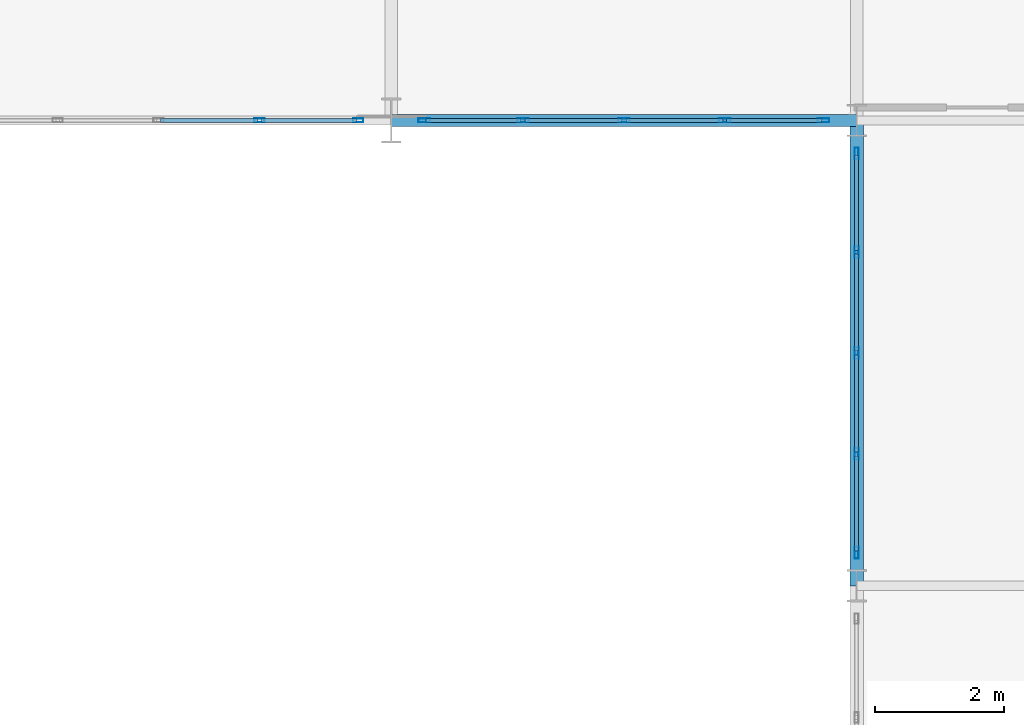
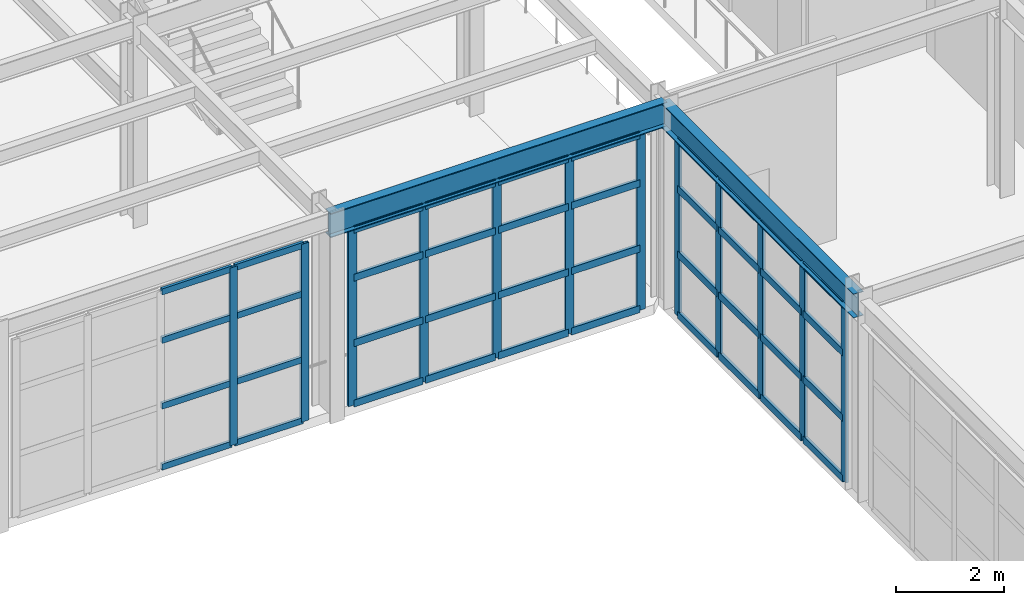
# One storey, part 38 of 121: 52 members, 2 beams, 3 elements without a shape of their own.
"""IFC4 building model written with IfcOpenShell, lengths in metres."""

from ifc_helpers import new_model, si_unit, direction, frame, origin, origin_2d, place, context, subcontext, project, spatial, hollow_rectangle, i_section, extrude, material, layer, layer_set, material_profile, profile_set, type_object, element, aggregate, save


model = new_model("IFC4")

# Units and contexts
model_context = context("Model", 3, precision=1e-05, world=origin(), true_north=direction((0.0, 1.0)))
body_context = subcontext(model_context, "Body", "Model", "MODEL_VIEW")
ifc_project = project(units=[si_unit("LENGTHUNIT", "METRE"), si_unit("AREAUNIT", "SQUARE_METRE"), si_unit("VOLUMEUNIT", "CUBIC_METRE"), si_unit("PLANEANGLEUNIT", "RADIAN"), si_unit("MASSUNIT", "GRAM", prefix="KILO")], contexts=[model_context])

# Site, building, storey
site_placement = place(None, origin())
site = spatial("IfcSite", under=ifc_project, at=site_placement, CompositionType="ELEMENT")
building_placement = place(site_placement, origin())
building = spatial("IfcBuilding", under=site, at=building_placement, Name="Solvadek Multi-Sports Hall", CompositionType="ELEMENT")
storey_placement = place(building_placement, frame((0.0, 0.0, 4.800048828125)))
storey = spatial("IfcBuildingStorey", under=building, at=storey_placement, Name="L01", CompositionType="ELEMENT", Elevation=4.800048828125)

# Curtain wall, members
ifc_material_1 = material(Name="Anodised aluminium", Category="aluminium")
ifc_layer_1 = layer(ifc_material_1, 0.159912109375, Name="Anodised aluminium")
ifc_layer_set_1 = layer_set([ifc_layer_1], Name="Anodised aluminium")
curtain_wall_type_1 = type_object("IfcCurtainWallType", Name="ENV-CW-624X402", PredefinedType="USERDEFINED", material=ifc_layer_set_1)
curtain_wall_1_placement = place(storey_placement, origin())
curtain_wall_1 = element("IfcCurtainWall", 1, at=curtain_wall_1_placement, inside=storey, type_object=curtain_wall_type_1, Name="L01 Perimeter Bay Curtain Wall #172", ObjectType="CURTAIN WALL", PredefinedType="USERDEFINED")
ifc_material_profile_1 = material_profile(ifc_material_1, hollow_rectangle(XDim=0.06005859375, YDim=0.159912109375, WallThickness=0.00390625, at=origin_2d()), Name="ALU-M 160x60x4")
ifc_profile_set_1 = profile_set([ifc_material_profile_1], Name="Anodised aluminium")
member_type_1 = type_object("IfcMemberType", Name="ENV-CWM-01", PredefinedType="MULLION", material=ifc_profile_set_1)
member_1_placement = place(storey_placement, frame((48.360107421875, 49.199951171875, 0.0), z_axis=(0.0, 0.0, 1.0), x_axis=(0.0, 1.0, 0.0)))
member_1 = element("IfcMember", 2, at=member_1_placement, type_object=member_type_1, Name="CW-55 mullion 4", PredefinedType="MULLION", context=body_context, shape_type="SweptSolid", body=[
    extrude(hollow_rectangle(XDim=0.06005859375, YDim=0.159912109375, WallThickness=0.00390625, at=origin_2d()), origin(), (0.0, 0.0, 1.0), 4.02490234375),
])
member_2_placement = place(storey_placement, frame((49.889892578125, 49.199951171875, 0.0), z_axis=(0.0, 0.0, 1.0), x_axis=(0.0, 1.0, 0.0)))
member_2 = element("IfcMember", 3, at=member_2_placement, type_object=member_type_1, Name="CW-55 mullion 5", PredefinedType="MULLION", context=body_context, shape_type="SweptSolid", body=[
    extrude(hollow_rectangle(XDim=0.06005859375, YDim=0.159912109375, WallThickness=0.00390625, at=origin_2d()), origin(), (0.0, 0.0, 1.0), 4.02490234375),
])

ifc_layer_2 = layer(ifc_material_1, 0.159912109375, Name="Anodised aluminium")
ifc_layer_set_2 = layer_set([ifc_layer_2], Name="Anodised aluminium")
curtain_wall_type_2 = type_object("IfcCurtainWallType", Name="ENV-CW-624X400", PredefinedType="USERDEFINED", material=ifc_layer_set_2)
curtain_wall_2_placement = place(storey_placement, origin())
curtain_wall_2 = element("IfcCurtainWall", 4, at=curtain_wall_2_placement, inside=storey, type_object=curtain_wall_type_2, Name="L01 Perimeter Bay Curtain Wall #178", ObjectType="CURTAIN WALL", PredefinedType="USERDEFINED")
ifc_material_profile_2 = material_profile(ifc_material_1, hollow_rectangle(XDim=0.06005859375, YDim=0.179931640625, WallThickness=0.00390625, at=origin_2d()), Name="ALU-M 180x60x4")
ifc_profile_set_2 = profile_set([ifc_material_profile_2], Name="Anodised aluminium")
member_type_2 = type_object("IfcMemberType", Name="ENV-CWM-02", PredefinedType="MULLION", material=ifc_profile_set_2)
member_3_placement = place(storey_placement, frame((50.909912109375, 49.199951171875, 0.0), z_axis=(0.0, 0.0, 1.0), x_axis=(0.0, 1.0, 0.0)))
member_3 = element("IfcMember", 5, at=member_3_placement, type_object=member_type_2, Name="CW-56 mullion 1", PredefinedType="MULLION", context=body_context, shape_type="SweptSolid", body=[
    extrude(hollow_rectangle(XDim=0.06005859375, YDim=0.179931640625, WallThickness=0.00390625, at=origin_2d()), origin(), (0.0, 0.0, 1.0), 4.0),
])
member_4_placement = place(storey_placement, frame((52.43994140625, 49.199951171875, 0.0), z_axis=(0.0, 0.0, 1.0), x_axis=(0.0, 1.0, 0.0)))
member_4 = element("IfcMember", 6, at=member_4_placement, type_object=member_type_2, Name="CW-56 mullion 2", PredefinedType="MULLION", context=body_context, shape_type="SweptSolid", body=[
    extrude(hollow_rectangle(XDim=0.06005859375, YDim=0.179931640625, WallThickness=0.00390625, at=origin_2d()), origin(), (0.0, 0.0, 1.0), 4.0),
])
member_5_placement = place(storey_placement, frame((54.0, 49.199951171875, 0.0), z_axis=(0.0, 0.0, 1.0), x_axis=(0.0, 1.0, 0.0)))
member_5 = element("IfcMember", 7, at=member_5_placement, type_object=member_type_2, Name="CW-56 mullion 3", PredefinedType="MULLION", context=body_context, shape_type="SweptSolid", body=[
    extrude(hollow_rectangle(XDim=0.06005859375, YDim=0.179931640625, WallThickness=0.00390625, at=origin_2d()), origin(), (0.0, 0.0, 1.0), 4.0),
])
member_6_placement = place(storey_placement, frame((55.56005859375, 49.199951171875, 0.0), z_axis=(0.0, 0.0, 1.0), x_axis=(0.0, 1.0, 0.0)))
member_6 = element("IfcMember", 8, at=member_6_placement, type_object=member_type_2, Name="CW-56 mullion 4", PredefinedType="MULLION", context=body_context, shape_type="SweptSolid", body=[
    extrude(hollow_rectangle(XDim=0.06005859375, YDim=0.179931640625, WallThickness=0.00390625, at=origin_2d()), origin(), (0.0, 0.0, 1.0), 4.0),
])
member_7_placement = place(storey_placement, frame((57.090087890625, 49.199951171875, 0.0), z_axis=(0.0, 0.0, 1.0), x_axis=(0.0, 1.0, 0.0)))
member_7 = element("IfcMember", 9, at=member_7_placement, type_object=member_type_2, Name="CW-56 mullion 5", PredefinedType="MULLION", context=body_context, shape_type="SweptSolid", body=[
    extrude(hollow_rectangle(XDim=0.06005859375, YDim=0.179931640625, WallThickness=0.00390625, at=origin_2d()), origin(), (0.0, 0.0, 1.0), 4.0),
])

curtain_wall_3_placement = place(storey_placement, origin())
curtain_wall_3 = element("IfcCurtainWall", 10, at=curtain_wall_3_placement, inside=storey, type_object=curtain_wall_type_2, Name="L01 Perimeter Bay Curtain Wall #201", ObjectType="CURTAIN WALL", PredefinedType="USERDEFINED")
member_8_placement = place(storey_placement, frame((57.60009765625, 42.510009765625, 0.0), z_axis=(0.0, 0.0, 1.0), x_axis=(-1.0, 0.0, 0.0)))
member_8 = element("IfcMember", 11, at=member_8_placement, type_object=member_type_2, Name="CW-56 mullion 1", PredefinedType="MULLION", context=body_context, shape_type="SweptSolid", body=[
    extrude(hollow_rectangle(XDim=0.06005859375, YDim=0.179931640625, WallThickness=0.00390625, at=origin_2d()), origin(), (0.0, 0.0, 1.0), 4.0),
])
member_9_placement = place(storey_placement, frame((57.60009765625, 44.0400390625, 0.0), z_axis=(0.0, 0.0, 1.0), x_axis=(-1.0, 0.0, 0.0)))
member_9 = element("IfcMember", 12, at=member_9_placement, type_object=member_type_2, Name="CW-56 mullion 2", PredefinedType="MULLION", context=body_context, shape_type="SweptSolid", body=[
    extrude(hollow_rectangle(XDim=0.06005859375, YDim=0.179931640625, WallThickness=0.00390625, at=origin_2d()), origin(), (0.0, 0.0, 1.0), 4.0),
])
member_10_placement = place(storey_placement, frame((57.60009765625, 45.60009765625, 0.0), z_axis=(0.0, 0.0, 1.0), x_axis=(-1.0, 0.0, 0.0)))
member_10 = element("IfcMember", 13, at=member_10_placement, type_object=member_type_2, Name="CW-56 mullion 3", PredefinedType="MULLION", context=body_context, shape_type="SweptSolid", body=[
    extrude(hollow_rectangle(XDim=0.06005859375, YDim=0.179931640625, WallThickness=0.00390625, at=origin_2d()), origin(), (0.0, 0.0, 1.0), 4.0),
])
member_11_placement = place(storey_placement, frame((57.60009765625, 47.159912109375, 0.0), z_axis=(0.0, 0.0, 1.0), x_axis=(-1.0, 0.0, 0.0)))
member_11 = element("IfcMember", 14, at=member_11_placement, type_object=member_type_2, Name="CW-56 mullion 4", PredefinedType="MULLION", context=body_context, shape_type="SweptSolid", body=[
    extrude(hollow_rectangle(XDim=0.06005859375, YDim=0.179931640625, WallThickness=0.00390625, at=origin_2d()), origin(), (0.0, 0.0, 1.0), 4.0),
])
member_12_placement = place(storey_placement, frame((57.60009765625, 48.68994140625, 0.0), z_axis=(0.0, 0.0, 1.0), x_axis=(-1.0, 0.0, 0.0)))
member_12 = element("IfcMember", 15, at=member_12_placement, type_object=member_type_2, Name="CW-56 mullion 5", PredefinedType="MULLION", context=body_context, shape_type="SweptSolid", body=[
    extrude(hollow_rectangle(XDim=0.06005859375, YDim=0.179931640625, WallThickness=0.00390625, at=origin_2d()), origin(), (0.0, 0.0, 1.0), 4.0),
])

# Member
ifc_material_profile_3 = material_profile(ifc_material_1, hollow_rectangle(XDim=0.06005859375, YDim=0.139892578125, WallThickness=0.00390625, at=origin_2d()), Name="ALU-T 140x60x4")
ifc_profile_set_3 = profile_set([ifc_material_profile_3], Name="Anodised aluminium")
member_type_3 = type_object("IfcMemberType", Name="ENV-CWT-02", PredefinedType="USERDEFINED", material=ifc_profile_set_3)
member_13_placement = place(storey_placement, frame((46.830078125, 49.199951171875, 0.030029296875), z_axis=(1.0, 0.0, 0.0), x_axis=(0.0, 1.0, 0.0)))
member_13 = element("IfcMember", 16, at=member_13_placement, type_object=member_type_3, Name="CW-55 transom 3.1", ObjectType="TRANSOM", PredefinedType="USERDEFINED", context=body_context, shape_type="SweptSolid", body=[
    extrude(hollow_rectangle(XDim=0.06005859375, YDim=0.139892578125, WallThickness=0.00390625, at=origin_2d()), origin(), (0.0, 0.0, 1.0), 1.5),
])

member_14_placement = place(storey_placement, frame((46.830078125, 49.199951171875, 1.408935546875), z_axis=(1.0, 0.0, 0.0), x_axis=(0.0, 1.0, 0.0)))
member_14 = element("IfcMember", 17, at=member_14_placement, type_object=member_type_3, Name="CW-55 transom 3.2", ObjectType="TRANSOM", PredefinedType="USERDEFINED", context=body_context, shape_type="SweptSolid", body=[
    extrude(hollow_rectangle(XDim=0.06005859375, YDim=0.139892578125, WallThickness=0.00390625, at=origin_2d()), origin(), (0.0, 0.0, 1.0), 1.5),
])

member_15_placement = place(storey_placement, frame((46.830078125, 49.199951171875, 2.89794921875), z_axis=(1.0, 0.0, 0.0), x_axis=(0.0, 1.0, 0.0)))
member_15 = element("IfcMember", 18, at=member_15_placement, type_object=member_type_3, Name="CW-55 transom 3.3", ObjectType="TRANSOM", PredefinedType="USERDEFINED", context=body_context, shape_type="SweptSolid", body=[
    extrude(hollow_rectangle(XDim=0.06005859375, YDim=0.139892578125, WallThickness=0.00390625, at=origin_2d()), origin(), (0.0, 0.0, 1.0), 1.5),
])

member_16_placement = place(storey_placement, frame((46.830078125, 49.199951171875, 3.994873046875), z_axis=(1.0, 0.0, 0.0), x_axis=(0.0, 1.0, 0.0)))
member_16 = element("IfcMember", 19, at=member_16_placement, type_object=member_type_3, Name="CW-55 transom 3.4", ObjectType="TRANSOM", PredefinedType="USERDEFINED", context=body_context, shape_type="SweptSolid", body=[
    extrude(hollow_rectangle(XDim=0.06005859375, YDim=0.139892578125, WallThickness=0.00390625, at=origin_2d()), origin(), (0.0, 0.0, 1.0), 1.5),
])

member_17_placement = place(storey_placement, frame((48.389892578125, 49.199951171875, 0.030029296875), z_axis=(1.0, 0.0, 0.0), x_axis=(0.0, 1.0, 0.0)))
member_17 = element("IfcMember", 20, at=member_17_placement, type_object=member_type_3, Name="CW-55 transom 4.1", ObjectType="TRANSOM", PredefinedType="USERDEFINED", context=body_context, shape_type="SweptSolid", body=[
    extrude(hollow_rectangle(XDim=0.06005859375, YDim=0.139892578125, WallThickness=0.00390625, at=origin_2d()), origin(), (0.0, 0.0, 1.0), 1.47021484375),
])

member_18_placement = place(storey_placement, frame((48.389892578125, 49.199951171875, 1.408935546875), z_axis=(1.0, 0.0, 0.0), x_axis=(0.0, 1.0, 0.0)))
member_18 = element("IfcMember", 21, at=member_18_placement, type_object=member_type_3, Name="CW-55 transom 4.2", ObjectType="TRANSOM", PredefinedType="USERDEFINED", context=body_context, shape_type="SweptSolid", body=[
    extrude(hollow_rectangle(XDim=0.06005859375, YDim=0.139892578125, WallThickness=0.00390625, at=origin_2d()), origin(), (0.0, 0.0, 1.0), 1.47021484375),
])

member_19_placement = place(storey_placement, frame((48.389892578125, 49.199951171875, 2.89794921875), z_axis=(1.0, 0.0, 0.0), x_axis=(0.0, 1.0, 0.0)))
member_19 = element("IfcMember", 22, at=member_19_placement, type_object=member_type_3, Name="CW-55 transom 4.3", ObjectType="TRANSOM", PredefinedType="USERDEFINED", context=body_context, shape_type="SweptSolid", body=[
    extrude(hollow_rectangle(XDim=0.06005859375, YDim=0.139892578125, WallThickness=0.00390625, at=origin_2d()), origin(), (0.0, 0.0, 1.0), 1.47021484375),
])

member_20_placement = place(storey_placement, frame((48.389892578125, 49.199951171875, 3.994873046875), z_axis=(1.0, 0.0, 0.0), x_axis=(0.0, 1.0, 0.0)))
member_20 = element("IfcMember", 23, at=member_20_placement, type_object=member_type_3, Name="CW-55 transom 4.4", ObjectType="TRANSOM", PredefinedType="USERDEFINED", context=body_context, shape_type="SweptSolid", body=[
    extrude(hollow_rectangle(XDim=0.06005859375, YDim=0.139892578125, WallThickness=0.00390625, at=origin_2d()), origin(), (0.0, 0.0, 1.0), 1.47021484375),
])

aggregate(curtain_wall_1, [member_1, member_2, member_13, member_14, member_15, member_16, member_17, member_18, member_19, member_20])

ifc_material_profile_4 = material_profile(ifc_material_1, hollow_rectangle(XDim=0.06494140625, YDim=0.159912109375, WallThickness=0.00390625, at=origin_2d()), Name="ALU-T 160x65x4")
ifc_profile_set_4 = profile_set([ifc_material_profile_4], Name="Anodised aluminium")
member_type_4 = type_object("IfcMemberType", Name="ENV-CWT-03", PredefinedType="USERDEFINED", material=ifc_profile_set_4)
member_21_placement = place(storey_placement, frame((50.93994140625, 49.199951171875, 0.032470703125), z_axis=(1.0, 0.0, 0.0), x_axis=(0.0, 1.0, 0.0)))
member_21 = element("IfcMember", 24, at=member_21_placement, type_object=member_type_4, Name="CW-56 transom 1.1", ObjectType="TRANSOM", PredefinedType="USERDEFINED", context=body_context, shape_type="SweptSolid", body=[
    extrude(hollow_rectangle(XDim=0.06494140625, YDim=0.159912109375, WallThickness=0.00390625, at=origin_2d()), origin(), (0.0, 0.0, 1.0), 1.469970703125),
])

member_22_placement = place(storey_placement, frame((50.93994140625, 49.199951171875, 1.39990234375), z_axis=(1.0, 0.0, 0.0), x_axis=(0.0, 1.0, 0.0)))
member_22 = element("IfcMember", 25, at=member_22_placement, type_object=member_type_4, Name="CW-56 transom 1.2", ObjectType="TRANSOM", PredefinedType="USERDEFINED", context=body_context, shape_type="SweptSolid", body=[
    extrude(hollow_rectangle(XDim=0.06494140625, YDim=0.159912109375, WallThickness=0.00390625, at=origin_2d()), origin(), (0.0, 0.0, 1.0), 1.469970703125),
])

member_23_placement = place(storey_placement, frame((50.93994140625, 49.199951171875, 2.8798828125), z_axis=(1.0, 0.0, 0.0), x_axis=(0.0, 1.0, 0.0)))
member_23 = element("IfcMember", 26, at=member_23_placement, type_object=member_type_4, Name="CW-56 transom 1.3", ObjectType="TRANSOM", PredefinedType="USERDEFINED", context=body_context, shape_type="SweptSolid", body=[
    extrude(hollow_rectangle(XDim=0.06494140625, YDim=0.159912109375, WallThickness=0.00390625, at=origin_2d()), origin(), (0.0, 0.0, 1.0), 1.469970703125),
])

member_24_placement = place(storey_placement, frame((50.93994140625, 49.199951171875, 3.967529296875), z_axis=(1.0, 0.0, 0.0), x_axis=(0.0, 1.0, 0.0)))
member_24 = element("IfcMember", 27, at=member_24_placement, type_object=member_type_4, Name="CW-56 transom 1.4", ObjectType="TRANSOM", PredefinedType="USERDEFINED", context=body_context, shape_type="SweptSolid", body=[
    extrude(hollow_rectangle(XDim=0.06494140625, YDim=0.159912109375, WallThickness=0.00390625, at=origin_2d()), origin(), (0.0, 0.0, 1.0), 1.469970703125),
])

member_25_placement = place(storey_placement, frame((52.469970703125, 49.199951171875, 0.032470703125), z_axis=(1.0, 0.0, 0.0), x_axis=(0.0, 1.0, 0.0)))
member_25 = element("IfcMember", 28, at=member_25_placement, type_object=member_type_4, Name="CW-56 transom 2.1", ObjectType="TRANSOM", PredefinedType="USERDEFINED", context=body_context, shape_type="SweptSolid", body=[
    extrude(hollow_rectangle(XDim=0.06494140625, YDim=0.159912109375, WallThickness=0.00390625, at=origin_2d()), origin(), (0.0, 0.0, 1.0), 1.5),
])

member_26_placement = place(storey_placement, frame((52.469970703125, 49.199951171875, 1.39990234375), z_axis=(1.0, 0.0, 0.0), x_axis=(0.0, 1.0, 0.0)))
member_26 = element("IfcMember", 29, at=member_26_placement, type_object=member_type_4, Name="CW-56 transom 2.2", ObjectType="TRANSOM", PredefinedType="USERDEFINED", context=body_context, shape_type="SweptSolid", body=[
    extrude(hollow_rectangle(XDim=0.06494140625, YDim=0.159912109375, WallThickness=0.00390625, at=origin_2d()), origin(), (0.0, 0.0, 1.0), 1.5),
])

member_27_placement = place(storey_placement, frame((52.469970703125, 49.199951171875, 2.8798828125), z_axis=(1.0, 0.0, 0.0), x_axis=(0.0, 1.0, 0.0)))
member_27 = element("IfcMember", 30, at=member_27_placement, type_object=member_type_4, Name="CW-56 transom 2.3", ObjectType="TRANSOM", PredefinedType="USERDEFINED", context=body_context, shape_type="SweptSolid", body=[
    extrude(hollow_rectangle(XDim=0.06494140625, YDim=0.159912109375, WallThickness=0.00390625, at=origin_2d()), origin(), (0.0, 0.0, 1.0), 1.5),
])

member_28_placement = place(storey_placement, frame((52.469970703125, 49.199951171875, 3.967529296875), z_axis=(1.0, 0.0, 0.0), x_axis=(0.0, 1.0, 0.0)))
member_28 = element("IfcMember", 31, at=member_28_placement, type_object=member_type_4, Name="CW-56 transom 2.4", ObjectType="TRANSOM", PredefinedType="USERDEFINED", context=body_context, shape_type="SweptSolid", body=[
    extrude(hollow_rectangle(XDim=0.06494140625, YDim=0.159912109375, WallThickness=0.00390625, at=origin_2d()), origin(), (0.0, 0.0, 1.0), 1.5),
])

member_29_placement = place(storey_placement, frame((54.030029296875, 49.199951171875, 0.032470703125), z_axis=(1.0, 0.0, 0.0), x_axis=(0.0, 1.0, 0.0)))
member_29 = element("IfcMember", 32, at=member_29_placement, type_object=member_type_4, Name="CW-56 transom 3.1", ObjectType="TRANSOM", PredefinedType="USERDEFINED", context=body_context, shape_type="SweptSolid", body=[
    extrude(hollow_rectangle(XDim=0.06494140625, YDim=0.159912109375, WallThickness=0.00390625, at=origin_2d()), origin(), (0.0, 0.0, 1.0), 1.5),
])

member_30_placement = place(storey_placement, frame((54.030029296875, 49.199951171875, 1.39990234375), z_axis=(1.0, 0.0, 0.0), x_axis=(0.0, 1.0, 0.0)))
member_30 = element("IfcMember", 33, at=member_30_placement, type_object=member_type_4, Name="CW-56 transom 3.2", ObjectType="TRANSOM", PredefinedType="USERDEFINED", context=body_context, shape_type="SweptSolid", body=[
    extrude(hollow_rectangle(XDim=0.06494140625, YDim=0.159912109375, WallThickness=0.00390625, at=origin_2d()), origin(), (0.0, 0.0, 1.0), 1.5),
])

member_31_placement = place(storey_placement, frame((54.030029296875, 49.199951171875, 2.8798828125), z_axis=(1.0, 0.0, 0.0), x_axis=(0.0, 1.0, 0.0)))
member_31 = element("IfcMember", 34, at=member_31_placement, type_object=member_type_4, Name="CW-56 transom 3.3", ObjectType="TRANSOM", PredefinedType="USERDEFINED", context=body_context, shape_type="SweptSolid", body=[
    extrude(hollow_rectangle(XDim=0.06494140625, YDim=0.159912109375, WallThickness=0.00390625, at=origin_2d()), origin(), (0.0, 0.0, 1.0), 1.5),
])

member_32_placement = place(storey_placement, frame((54.030029296875, 49.199951171875, 3.967529296875), z_axis=(1.0, 0.0, 0.0), x_axis=(0.0, 1.0, 0.0)))
member_32 = element("IfcMember", 35, at=member_32_placement, type_object=member_type_4, Name="CW-56 transom 3.4", ObjectType="TRANSOM", PredefinedType="USERDEFINED", context=body_context, shape_type="SweptSolid", body=[
    extrude(hollow_rectangle(XDim=0.06494140625, YDim=0.159912109375, WallThickness=0.00390625, at=origin_2d()), origin(), (0.0, 0.0, 1.0), 1.5),
])

member_33_placement = place(storey_placement, frame((55.590087890625, 49.199951171875, 0.032470703125), z_axis=(1.0, 0.0, 0.0), x_axis=(0.0, 1.0, 0.0)))
member_33 = element("IfcMember", 36, at=member_33_placement, type_object=member_type_4, Name="CW-56 transom 4.1", ObjectType="TRANSOM", PredefinedType="USERDEFINED", context=body_context, shape_type="SweptSolid", body=[
    extrude(hollow_rectangle(XDim=0.06494140625, YDim=0.159912109375, WallThickness=0.00390625, at=origin_2d()), origin(), (0.0, 0.0, 1.0), 1.469970703125),
])

member_34_placement = place(storey_placement, frame((55.590087890625, 49.199951171875, 1.39990234375), z_axis=(1.0, 0.0, 0.0), x_axis=(0.0, 1.0, 0.0)))
member_34 = element("IfcMember", 37, at=member_34_placement, type_object=member_type_4, Name="CW-56 transom 4.2", ObjectType="TRANSOM", PredefinedType="USERDEFINED", context=body_context, shape_type="SweptSolid", body=[
    extrude(hollow_rectangle(XDim=0.06494140625, YDim=0.159912109375, WallThickness=0.00390625, at=origin_2d()), origin(), (0.0, 0.0, 1.0), 1.469970703125),
])

member_35_placement = place(storey_placement, frame((55.590087890625, 49.199951171875, 2.8798828125), z_axis=(1.0, 0.0, 0.0), x_axis=(0.0, 1.0, 0.0)))
member_35 = element("IfcMember", 38, at=member_35_placement, type_object=member_type_4, Name="CW-56 transom 4.3", ObjectType="TRANSOM", PredefinedType="USERDEFINED", context=body_context, shape_type="SweptSolid", body=[
    extrude(hollow_rectangle(XDim=0.06494140625, YDim=0.159912109375, WallThickness=0.00390625, at=origin_2d()), origin(), (0.0, 0.0, 1.0), 1.469970703125),
])

member_36_placement = place(storey_placement, frame((55.590087890625, 49.199951171875, 3.967529296875), z_axis=(1.0, 0.0, 0.0), x_axis=(0.0, 1.0, 0.0)))
member_36 = element("IfcMember", 39, at=member_36_placement, type_object=member_type_4, Name="CW-56 transom 4.4", ObjectType="TRANSOM", PredefinedType="USERDEFINED", context=body_context, shape_type="SweptSolid", body=[
    extrude(hollow_rectangle(XDim=0.06494140625, YDim=0.159912109375, WallThickness=0.00390625, at=origin_2d()), origin(), (0.0, 0.0, 1.0), 1.469970703125),
])

aggregate(curtain_wall_2, [member_3, member_4, member_5, member_6, member_7, member_21, member_22, member_23, member_24, member_25, member_26, member_27, member_28, member_29, member_30, member_31, member_32, member_33, member_34, member_35, member_36])

member_37_placement = place(storey_placement, frame((57.60009765625, 42.5400390625, 0.032470703125), z_axis=(0.0, 1.0, 0.0), x_axis=(-1.0, 0.0, 0.0)))
member_37 = element("IfcMember", 40, at=member_37_placement, type_object=member_type_4, Name="CW-56 transom 1.1", ObjectType="TRANSOM", PredefinedType="USERDEFINED", context=body_context, shape_type="SweptSolid", body=[
    extrude(hollow_rectangle(XDim=0.06494140625, YDim=0.159912109375, WallThickness=0.00390625, at=origin_2d()), origin(), (0.0, 0.0, 1.0), 1.469970703125),
])

member_38_placement = place(storey_placement, frame((57.60009765625, 42.5400390625, 1.39990234375), z_axis=(0.0, 1.0, 0.0), x_axis=(-1.0, 0.0, 0.0)))
member_38 = element("IfcMember", 41, at=member_38_placement, type_object=member_type_4, Name="CW-56 transom 1.2", ObjectType="TRANSOM", PredefinedType="USERDEFINED", context=body_context, shape_type="SweptSolid", body=[
    extrude(hollow_rectangle(XDim=0.06494140625, YDim=0.159912109375, WallThickness=0.00390625, at=origin_2d()), origin(), (0.0, 0.0, 1.0), 1.469970703125),
])

member_39_placement = place(storey_placement, frame((57.60009765625, 42.5400390625, 2.8798828125), z_axis=(0.0, 1.0, 0.0), x_axis=(-1.0, 0.0, 0.0)))
member_39 = element("IfcMember", 42, at=member_39_placement, type_object=member_type_4, Name="CW-56 transom 1.3", ObjectType="TRANSOM", PredefinedType="USERDEFINED", context=body_context, shape_type="SweptSolid", body=[
    extrude(hollow_rectangle(XDim=0.06494140625, YDim=0.159912109375, WallThickness=0.00390625, at=origin_2d()), origin(), (0.0, 0.0, 1.0), 1.469970703125),
])

member_40_placement = place(storey_placement, frame((57.60009765625, 42.5400390625, 3.967529296875), z_axis=(0.0, 1.0, 0.0), x_axis=(-1.0, 0.0, 0.0)))
member_40 = element("IfcMember", 43, at=member_40_placement, type_object=member_type_4, Name="CW-56 transom 1.4", ObjectType="TRANSOM", PredefinedType="USERDEFINED", context=body_context, shape_type="SweptSolid", body=[
    extrude(hollow_rectangle(XDim=0.06494140625, YDim=0.159912109375, WallThickness=0.00390625, at=origin_2d()), origin(), (0.0, 0.0, 1.0), 1.469970703125),
])

member_41_placement = place(storey_placement, frame((57.60009765625, 44.070068359375, 0.032470703125), z_axis=(0.0, 1.0, 0.0), x_axis=(-1.0, 0.0, 0.0)))
member_41 = element("IfcMember", 44, at=member_41_placement, type_object=member_type_4, Name="CW-56 transom 2.1", ObjectType="TRANSOM", PredefinedType="USERDEFINED", context=body_context, shape_type="SweptSolid", body=[
    extrude(hollow_rectangle(XDim=0.06494140625, YDim=0.159912109375, WallThickness=0.00390625, at=origin_2d()), origin(), (0.0, 0.0, 1.0), 1.5),
])

member_42_placement = place(storey_placement, frame((57.60009765625, 44.070068359375, 1.39990234375), z_axis=(0.0, 1.0, 0.0), x_axis=(-1.0, 0.0, 0.0)))
member_42 = element("IfcMember", 45, at=member_42_placement, type_object=member_type_4, Name="CW-56 transom 2.2", ObjectType="TRANSOM", PredefinedType="USERDEFINED", context=body_context, shape_type="SweptSolid", body=[
    extrude(hollow_rectangle(XDim=0.06494140625, YDim=0.159912109375, WallThickness=0.00390625, at=origin_2d()), origin(), (0.0, 0.0, 1.0), 1.5),
])

member_43_placement = place(storey_placement, frame((57.60009765625, 44.070068359375, 2.8798828125), z_axis=(0.0, 1.0, 0.0), x_axis=(-1.0, 0.0, 0.0)))
member_43 = element("IfcMember", 46, at=member_43_placement, type_object=member_type_4, Name="CW-56 transom 2.3", ObjectType="TRANSOM", PredefinedType="USERDEFINED", context=body_context, shape_type="SweptSolid", body=[
    extrude(hollow_rectangle(XDim=0.06494140625, YDim=0.159912109375, WallThickness=0.00390625, at=origin_2d()), origin(), (0.0, 0.0, 1.0), 1.5),
])

member_44_placement = place(storey_placement, frame((57.60009765625, 44.070068359375, 3.967529296875), z_axis=(0.0, 1.0, 0.0), x_axis=(-1.0, 0.0, 0.0)))
member_44 = element("IfcMember", 47, at=member_44_placement, type_object=member_type_4, Name="CW-56 transom 2.4", ObjectType="TRANSOM", PredefinedType="USERDEFINED", context=body_context, shape_type="SweptSolid", body=[
    extrude(hollow_rectangle(XDim=0.06494140625, YDim=0.159912109375, WallThickness=0.00390625, at=origin_2d()), origin(), (0.0, 0.0, 1.0), 1.5),
])

member_45_placement = place(storey_placement, frame((57.60009765625, 45.6298828125, 0.032470703125), z_axis=(0.0, 1.0, 0.0), x_axis=(-1.0, 0.0, 0.0)))
member_45 = element("IfcMember", 48, at=member_45_placement, type_object=member_type_4, Name="CW-56 transom 3.1", ObjectType="TRANSOM", PredefinedType="USERDEFINED", context=body_context, shape_type="SweptSolid", body=[
    extrude(hollow_rectangle(XDim=0.06494140625, YDim=0.159912109375, WallThickness=0.00390625, at=origin_2d()), origin(), (0.0, 0.0, 1.0), 1.5),
])

member_46_placement = place(storey_placement, frame((57.60009765625, 45.6298828125, 1.39990234375), z_axis=(0.0, 1.0, 0.0), x_axis=(-1.0, 0.0, 0.0)))
member_46 = element("IfcMember", 49, at=member_46_placement, type_object=member_type_4, Name="CW-56 transom 3.2", ObjectType="TRANSOM", PredefinedType="USERDEFINED", context=body_context, shape_type="SweptSolid", body=[
    extrude(hollow_rectangle(XDim=0.06494140625, YDim=0.159912109375, WallThickness=0.00390625, at=origin_2d()), origin(), (0.0, 0.0, 1.0), 1.5),
])

member_47_placement = place(storey_placement, frame((57.60009765625, 45.6298828125, 2.8798828125), z_axis=(0.0, 1.0, 0.0), x_axis=(-1.0, 0.0, 0.0)))
member_47 = element("IfcMember", 50, at=member_47_placement, type_object=member_type_4, Name="CW-56 transom 3.3", ObjectType="TRANSOM", PredefinedType="USERDEFINED", context=body_context, shape_type="SweptSolid", body=[
    extrude(hollow_rectangle(XDim=0.06494140625, YDim=0.159912109375, WallThickness=0.00390625, at=origin_2d()), origin(), (0.0, 0.0, 1.0), 1.5),
])

member_48_placement = place(storey_placement, frame((57.60009765625, 45.6298828125, 3.967529296875), z_axis=(0.0, 1.0, 0.0), x_axis=(-1.0, 0.0, 0.0)))
member_48 = element("IfcMember", 51, at=member_48_placement, type_object=member_type_4, Name="CW-56 transom 3.4", ObjectType="TRANSOM", PredefinedType="USERDEFINED", context=body_context, shape_type="SweptSolid", body=[
    extrude(hollow_rectangle(XDim=0.06494140625, YDim=0.159912109375, WallThickness=0.00390625, at=origin_2d()), origin(), (0.0, 0.0, 1.0), 1.5),
])

member_49_placement = place(storey_placement, frame((57.60009765625, 47.18994140625, 0.032470703125), z_axis=(0.0, 1.0, 0.0), x_axis=(-1.0, 0.0, 0.0)))
member_49 = element("IfcMember", 52, at=member_49_placement, type_object=member_type_4, Name="CW-56 transom 4.1", ObjectType="TRANSOM", PredefinedType="USERDEFINED", context=body_context, shape_type="SweptSolid", body=[
    extrude(hollow_rectangle(XDim=0.06494140625, YDim=0.159912109375, WallThickness=0.00390625, at=origin_2d()), origin(), (0.0, 0.0, 1.0), 1.469970703125),
])

member_50_placement = place(storey_placement, frame((57.60009765625, 47.18994140625, 1.39990234375), z_axis=(0.0, 1.0, 0.0), x_axis=(-1.0, 0.0, 0.0)))
member_50 = element("IfcMember", 53, at=member_50_placement, type_object=member_type_4, Name="CW-56 transom 4.2", ObjectType="TRANSOM", PredefinedType="USERDEFINED", context=body_context, shape_type="SweptSolid", body=[
    extrude(hollow_rectangle(XDim=0.06494140625, YDim=0.159912109375, WallThickness=0.00390625, at=origin_2d()), origin(), (0.0, 0.0, 1.0), 1.469970703125),
])

member_51_placement = place(storey_placement, frame((57.60009765625, 47.18994140625, 2.8798828125), z_axis=(0.0, 1.0, 0.0), x_axis=(-1.0, 0.0, 0.0)))
member_51 = element("IfcMember", 54, at=member_51_placement, type_object=member_type_4, Name="CW-56 transom 4.3", ObjectType="TRANSOM", PredefinedType="USERDEFINED", context=body_context, shape_type="SweptSolid", body=[
    extrude(hollow_rectangle(XDim=0.06494140625, YDim=0.159912109375, WallThickness=0.00390625, at=origin_2d()), origin(), (0.0, 0.0, 1.0), 1.469970703125),
])

member_52_placement = place(storey_placement, frame((57.60009765625, 47.18994140625, 3.967529296875), z_axis=(0.0, 1.0, 0.0), x_axis=(-1.0, 0.0, 0.0)))
member_52 = element("IfcMember", 55, at=member_52_placement, type_object=member_type_4, Name="CW-56 transom 4.4", ObjectType="TRANSOM", PredefinedType="USERDEFINED", context=body_context, shape_type="SweptSolid", body=[
    extrude(hollow_rectangle(XDim=0.06494140625, YDim=0.159912109375, WallThickness=0.00390625, at=origin_2d()), origin(), (0.0, 0.0, 1.0), 1.469970703125),
])

aggregate(curtain_wall_3, [member_8, member_9, member_10, member_11, member_12, member_37, member_38, member_39, member_40, member_41, member_42, member_43, member_44, member_45, member_46, member_47, member_48, member_49, member_50, member_51, member_52])

# Beams
ifc_material_2 = material(Name="Steel E350 (350 MPa)", Category="steel")
ifc_material_profile_5 = material_profile(ifc_material_2, i_section(OverallWidth=0.18994140625, OverallDepth=0.550048828125, WebThickness=0.01123046875, FlangeThickness=0.019287109375, at=origin_2d()), Name="ISMB 550")
ifc_profile_set_5 = profile_set([ifc_material_profile_5], Name="Steel E350 (350 MPa)")
beam_type_1 = type_object("IfcBeamType", Name="STR-BM-ISMB550", PredefinedType="BEAM", material=ifc_profile_set_5)
beam_1_placement = place(storey_placement, frame((50.39990234375, 49.199951171875, 4.284912109375), z_axis=(1.0, 0.0, 0.0), x_axis=(0.0, 1.0, 0.0)))
element("IfcBeam", 56, at=beam_1_placement, inside=storey, type_object=beam_type_1, Name="L01 Girder B-06 #1012", PredefinedType="BEAM", context=body_context, shape_type="SweptSolid", body=[
    extrude(i_section(OverallWidth=0.18994140625, OverallDepth=0.550048828125, WebThickness=0.01123046875, FlangeThickness=0.019287109375, at=origin_2d()), origin(), (0.0, 0.0, 1.0), 7.2001953125),
])
ifc_material_profile_6 = material_profile(ifc_material_2, i_section(OverallWidth=0.2099609375, OverallDepth=0.550048828125, WebThickness=0.010986328125, FlangeThickness=0.01708984375, at=origin_2d()), Name="NPB 550")
ifc_profile_set_6 = profile_set([ifc_material_profile_6], Name="Steel E350 (350 MPa)")
beam_type_2 = type_object("IfcBeamType", Name="STR-BM-NPB550", PredefinedType="BEAM", material=ifc_profile_set_6)
beam_2_placement = place(storey_placement, frame((57.60009765625, 42.0, 4.284912109375), z_axis=(0.0, 1.0, 0.0), x_axis=(-1.0, 0.0, 0.0)))
element("IfcBeam", 57, at=beam_2_placement, inside=storey, type_object=beam_type_2, Name="L01 Girder B-05 #1215", PredefinedType="BEAM", context=body_context, shape_type="SweptSolid", body=[
    extrude(i_section(OverallWidth=0.2099609375, OverallDepth=0.550048828125, WebThickness=0.010986328125, FlangeThickness=0.01708984375, at=origin_2d()), origin(), (0.0, 0.0, 1.0), 7.199951171875),
])

save(model, "model.ifc")
